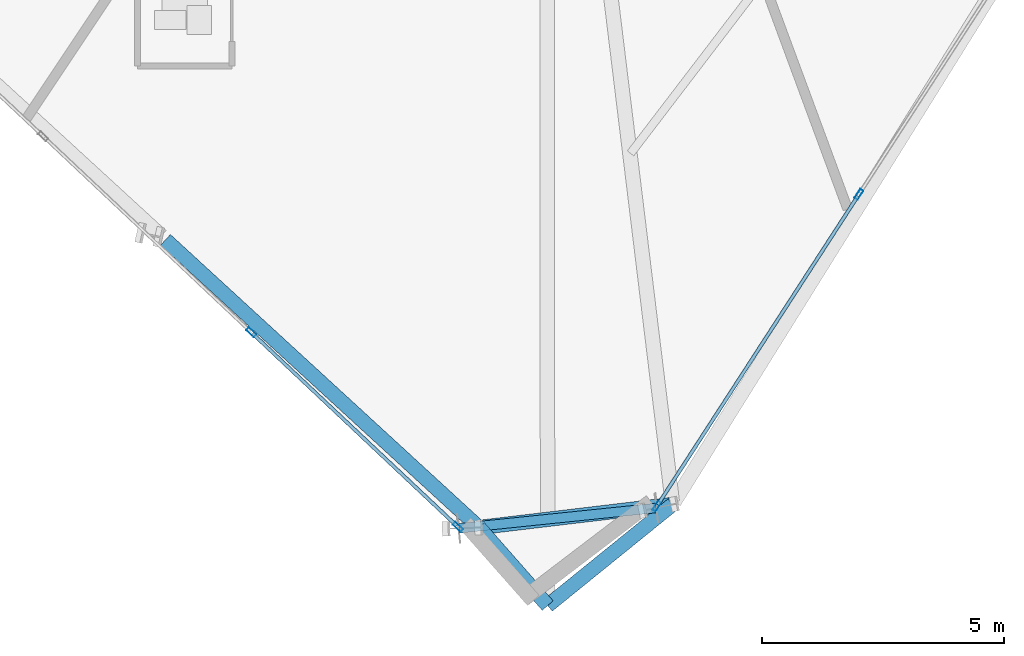
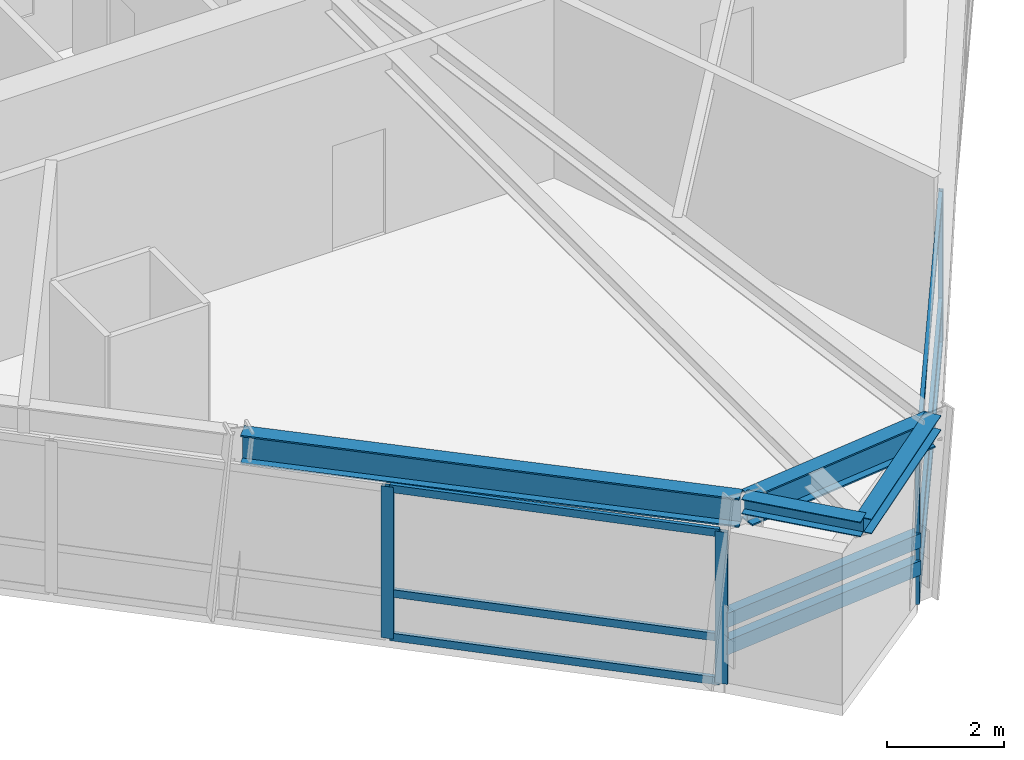
# One storey, part 3 of 14: 12 members, 4 beams, 2 elements without a shape of their own.
"""IFC4 building model written with IfcOpenShell, lengths in metres."""

from ifc_helpers import new_model, si_unit, direction, frame, origin, origin_2d, place, context, subcontext, project, spatial, hollow_rectangle, i_section, extrude, source, transform, mapped, material, material_profile, profile_set, type_object, element, aggregate, save


model = new_model("IFC4")

# Units and contexts
model_context = context("Model", 3, precision=1e-05, world=origin(), true_north=direction((0.0, 1.0)))
body_context = subcontext(model_context, "Body", "Model", "MODEL_VIEW")
ifc_project = project(units=[si_unit("LENGTHUNIT", "METRE"), si_unit("AREAUNIT", "SQUARE_METRE"), si_unit("VOLUMEUNIT", "CUBIC_METRE"), si_unit("PLANEANGLEUNIT", "RADIAN"), si_unit("MASSUNIT", "GRAM", prefix="KILO")], contexts=[model_context])

# Site, building, storey
site_placement = place(None, origin())
site = spatial("IfcSite", under=ifc_project, at=site_placement, CompositionType="ELEMENT")
building_placement = place(site_placement, origin())
building = spatial("IfcBuilding", under=site, at=building_placement, Name="Olszyna Solenne Hotel", CompositionType="ELEMENT")
storey_placement = place(building_placement, frame((0.0, 0.0, 196.300048828125)))
storey = spatial("IfcBuildingStorey", under=building, at=storey_placement, Name="L52", CompositionType="ELEMENT", Elevation=196.300048828125)

# Beams
ifc_material_1 = material(Name="Steel S355J2", Category="steel")
ifc_material_profile_1 = material_profile(ifc_material_1, i_section(OverallWidth=0.300048828125, OverallDepth=0.60009765625, WebThickness=0.015380859375, FlangeThickness=0.030029296875, at=origin_2d()), Name="HEB 600", Category="load-bearing")
ifc_profile_set_1 = profile_set([ifc_material_profile_1], Name="Steel S355J2")
beam_type_1 = type_object("IfcBeamType", Name="BM-S2", PredefinedType="BEAM", material=ifc_profile_set_1)
shared_shape_1 = source(origin(), body_context, "Body", "SweptSolid", [
    extrude(i_section(OverallWidth=0.300048828125, OverallDepth=0.60009765625, WebThickness=0.015380859375, FlangeThickness=0.030029296875, at=origin_2d()), origin(), (0.0, 0.0, 1.0), 8.74462890625),
])
beam_1_placement = place(storey_placement, frame((30.39208984375, 8.367919921875, 3.47998046875), z_axis=(0.7367901343, -0.676121511267, 0.0), x_axis=(0.676121511267, 0.7367901343, 0.0)))
element("IfcBeam", 1, at=beam_1_placement, inside=storey, type_object=beam_type_1, Name="Perimeter spandrel beam BM-S2 B-L52-1545", PredefinedType="BEAM", context=body_context, shape_type="MappedRepresentation", body=[
    mapped(shared_shape_1, transform((0.0, 0.0, 0.0), x_axis=(1.0, 0.0, 0.0), y_axis=(0.0, 1.0, 0.0), z_axis=(0.0, 0.0, 1.0), scale=1.0)),
])
shared_shape_2 = source(origin(), body_context, "Body", "SweptSolid", [
    extrude(i_section(OverallWidth=0.300048828125, OverallDepth=0.60009765625, WebThickness=0.015380859375, FlangeThickness=0.030029296875, at=origin_2d()), origin(), (0.0, 0.0, 1.0), 3.91552734375),
])
beam_2_placement = place(storey_placement, frame((36.938720703125, 2.422119140625, 3.47998046875), z_axis=(0.992965077649, 0.118407578176, 0.0), x_axis=(-0.118407578176, 0.992965077649, 0.0)))
element("IfcBeam", 2, at=beam_2_placement, inside=storey, type_object=beam_type_1, Name="Perimeter spandrel beam BM-S2 B-L52-1546", PredefinedType="BEAM", context=body_context, shape_type="MappedRepresentation", body=[
    mapped(shared_shape_2, transform((0.0, 0.0, 0.0), x_axis=(1.0, 0.0, 0.0), y_axis=(0.0, 1.0, 0.0), z_axis=(0.0, 0.0, 1.0), scale=1.0)),
])
ifc_material_profile_2 = material_profile(ifc_material_1, i_section(OverallWidth=0.300048828125, OverallDepth=0.31005859375, WebThickness=0.009033203125, FlangeThickness=0.015380859375, at=origin_2d()), Name="HEA 320", Category="load-bearing")
ifc_profile_set_2 = profile_set([ifc_material_profile_2], Name="Steel S355J2")
beam_type_2 = type_object("IfcBeamType", Name="BM-G3", PredefinedType="BEAM", material=ifc_profile_set_2)
shared_shape_3 = source(origin(), body_context, "Body", "SweptSolid", [
    extrude(i_section(OverallWidth=0.300048828125, OverallDepth=0.31005859375, WebThickness=0.009033203125, FlangeThickness=0.015380859375, at=origin_2d()), origin(), (0.0, 0.0, 1.0), 2.151611328125),
])
beam_3_placement = place(storey_placement, frame((36.879150390625, 2.414794921875, 3.625), z_axis=(0.660863197415, -0.750506385251, 0.0), x_axis=(0.750506385251, 0.660863197415, 0.0)))
element("IfcBeam", 3, at=beam_3_placement, inside=storey, type_object=beam_type_2, Name="Prism side edge beam BM-G3 B-L52-1558", PredefinedType="BEAM", context=body_context, shape_type="MappedRepresentation", body=[
    mapped(shared_shape_3, transform((0.0, 0.0, 0.0), x_axis=(1.0, 0.0, 0.0), y_axis=(0.0, 1.0, 0.0), z_axis=(0.0, 0.0, 1.0), scale=1.0)),
])
shared_shape_4 = source(origin(), body_context, "Body", "SweptSolid", [
    extrude(i_section(OverallWidth=0.300048828125, OverallDepth=0.31005859375, WebThickness=0.009033203125, FlangeThickness=0.015380859375, at=origin_2d()), origin(), (0.0, 0.0, 1.0), 3.326171875),
])
beam_4_placement = place(storey_placement, frame((40.88623046875, 2.892822265625, 3.625), z_axis=(-0.77724658005, -0.629196117121, 0.0), x_axis=(0.629196117121, -0.77724658005, 0.0)))
element("IfcBeam", 4, at=beam_4_placement, inside=storey, type_object=beam_type_2, Name="Prism side edge beam BM-G3 B-L52-1559", PredefinedType="BEAM", context=body_context, shape_type="MappedRepresentation", body=[
    mapped(shared_shape_4, transform((0.0, 0.0, 0.0), x_axis=(1.0, 0.0, 0.0), y_axis=(0.0, 1.0, 0.0), z_axis=(0.0, 0.0, 1.0), scale=1.0)),
])

# Members
ifc_material_profile_3 = material_profile(ifc_material_1, hollow_rectangle(XDim=0.199951171875, YDim=0.300048828125, WallThickness=0.01611328125, at=origin_2d()), Name="RHS 300x200x16", Category="load-bearing")
ifc_profile_set_3 = profile_set([ifc_material_profile_3], Name="Steel S355J2")
member_type_1 = type_object("IfcMemberType", Name="CH-PR1", PredefinedType="CHORD", material=ifc_profile_set_3)
shared_shape_5 = source(origin(), body_context, "Body", "SweptSolid", [
    extrude(hollow_rectangle(XDim=0.199951171875, YDim=0.300048828125, WallThickness=0.01611328125, at=origin_2d()), origin(), (0.0, 0.0, 1.0), 4.086669921875),
])
for number, where, z_axis, x_axis, name in (
    (5, (36.47216796875, 2.3994140625, 1.349853515625), (0.994706543415, 0.102756471752, 0.0), (-0.102756471752, 0.994706543415, 0.0), "Glass-prism tie chord CH-PR1 M-L52-PR1"),
    (6, (36.47216796875, 2.3994140625, 0.780029296875), (0.994706543415, 0.102756471752, 0.0), (-0.102756471752, 0.994706543415, 0.0), "Glass-prism tie chord CH-PR1 M-L52-PR2"),
):
    element("IfcMember", number, at=place(storey_placement, frame(where, z_axis=z_axis, x_axis=x_axis)), inside=storey, type_object=member_type_1, Name=name, PredefinedType="CHORD", context=body_context, shape_type="MappedRepresentation", body=[
        mapped(shared_shape_5, transform((0.0, 0.0, 0.0), x_axis=(1.0, 0.0, 0.0), y_axis=(0.0, 1.0, 0.0), z_axis=(0.0, 0.0, 1.0), scale=1.0)),
    ])

# Curtain wall, members
ifc_material_2 = material(Name="Anodised bronze aluminium", Category="aluminium")
curtain_wall_type = type_object("IfcCurtainWallType", Name="CW-SYS-6", PredefinedType="NOTDEFINED", material=ifc_material_2)
curtain_wall_1_placement = place(storey_placement, origin())
curtain_wall_1 = element("IfcCurtainWall", 7, at=curtain_wall_1_placement, inside=storey, type_object=curtain_wall_type, Name="Unitised curtain wall CW-SYS-6 CW-L52-01", PredefinedType="NOTDEFINED")
ifc_material_profile_4 = material_profile(ifc_material_2, hollow_rectangle(XDim=0.080078125, YDim=0.219970703125, WallThickness=0.0048828125, at=origin_2d()), Name="MULL 220x80x5", Category="load-bearing")
ifc_profile_set_4 = profile_set([ifc_material_profile_4], Name="Anodised bronze aluminium")
member_type_2 = type_object("IfcMemberType", Name="CW-M1", PredefinedType="MULLION", material=ifc_profile_set_4)
shared_shape_6 = source(origin(), body_context, "Body", "SweptSolid", [
    extrude(hollow_rectangle(XDim=0.080078125, YDim=0.219970703125, WallThickness=0.0048828125, at=origin_2d()), origin(), (0.0, 0.0, 1.0), 3.171875),
])
member_1_placement = place(storey_placement, frame((40.558837890625, 2.85302734375, 0.0), z_axis=(0.0, 0.0, 1.0), x_axis=(-0.839239744069, 0.543761576405, 0.0)))
member_1 = element("IfcMember", 8, at=member_1_placement, type_object=member_type_2, Name="Curtain-wall mullion CW-M1 CM-L52-01-01", PredefinedType="MULLION", context=body_context, shape_type="MappedRepresentation", body=[
    mapped(shared_shape_6, transform((0.0, 0.0, 0.0), x_axis=(1.0, 0.0, 0.0), y_axis=(0.0, 1.0, 0.0), z_axis=(0.0, 0.0, 1.0), scale=1.0)),
])
member_2_placement = place(storey_placement, frame((44.740966796875, 9.3076171875, 0.0), z_axis=(0.0, 0.0, 1.0), x_axis=(-0.839239744069, 0.543761576405, 0.0)))
member_2 = element("IfcMember", 9, at=member_2_placement, type_object=member_type_2, Name="Curtain-wall mullion CW-M1 CM-L52-01-02", PredefinedType="MULLION", context=body_context, shape_type="MappedRepresentation", body=[
    mapped(shared_shape_6, transform((0.0, 0.0, 0.0), x_axis=(1.0, 0.0, 0.0), y_axis=(0.0, 1.0, 0.0), z_axis=(0.0, 0.0, 1.0), scale=1.0)),
])

curtain_wall_2_placement = place(storey_placement, origin())
curtain_wall_2 = element("IfcCurtainWall", 10, at=curtain_wall_2_placement, inside=storey, type_object=curtain_wall_type, Name="Unitised curtain wall CW-SYS-6 CW-L52-02", PredefinedType="NOTDEFINED")
member_3_placement = place(storey_placement, frame((32.166015625, 6.455078125, 0.0), z_axis=(0.0, 0.0, 1.0), x_axis=(0.685634102276, 0.727946342663, 0.0)))
member_3 = element("IfcMember", 11, at=member_3_placement, type_object=member_type_2, Name="Curtain-wall mullion CW-M1 CM-L52-02-03", PredefinedType="MULLION", context=body_context, shape_type="MappedRepresentation", body=[
    mapped(shared_shape_6, transform((0.0, 0.0, 0.0), x_axis=(1.0, 0.0, 0.0), y_axis=(0.0, 1.0, 0.0), z_axis=(0.0, 0.0, 1.0), scale=1.0)),
])
member_4_placement = place(storey_placement, frame((36.44287109375, 2.4267578125, 0.0), z_axis=(0.0, 0.0, 1.0), x_axis=(0.685634102276, 0.727946342663, 0.0)))
member_4 = element("IfcMember", 12, at=member_4_placement, type_object=member_type_2, Name="Curtain-wall mullion CW-M1 CM-L52-02-04", PredefinedType="MULLION", context=body_context, shape_type="MappedRepresentation", body=[
    mapped(shared_shape_6, transform((0.0, 0.0, 0.0), x_axis=(1.0, 0.0, 0.0), y_axis=(0.0, 1.0, 0.0), z_axis=(0.0, 0.0, 1.0), scale=1.0)),
])

# Member
ifc_material_profile_5 = material_profile(ifc_material_2, hollow_rectangle(XDim=0.074951171875, YDim=0.159912109375, WallThickness=0.00390625, at=origin_2d()), Name="TRAN 160x75x4", Category="load-bearing")
ifc_profile_set_5 = profile_set([ifc_material_profile_5], Name="Anodised bronze aluminium")
member_type_3 = type_object("IfcMemberType", Name="CW-T1", PredefinedType="USERDEFINED", material=ifc_profile_set_5)
shared_shape_7 = source(origin(), body_context, "Body", "SweptSolid", [
    extrude(hollow_rectangle(XDim=0.074951171875, YDim=0.159912109375, WallThickness=0.00390625, at=origin_2d()), origin(), (0.0, 0.0, 1.0), 7.611328125),
])
member_5_placement = place(storey_placement, frame((40.58056640625, 2.886474609375, 0.037353515625), z_axis=(0.54375657624, 0.839242983763, 0.0), x_axis=(-0.839242983763, 0.54375657624, 0.0)))
member_5 = element("IfcMember", 13, at=member_5_placement, type_object=member_type_3, Name="Curtain-wall transom CW-T1 CT-L52-01-01", ObjectType="TRANSOM", PredefinedType="USERDEFINED", context=body_context, shape_type="MappedRepresentation", body=[
    mapped(shared_shape_7, transform((0.0, 0.0, 0.0), x_axis=(1.0, 0.0, 0.0), y_axis=(0.0, 1.0, 0.0), z_axis=(0.0, 0.0, 1.0), scale=1.0)),
])

member_6_placement = place(storey_placement, frame((40.58056640625, 2.886474609375, 0.949951171875), z_axis=(0.54375657624, 0.839242983763, 0.0), x_axis=(-0.839242983763, 0.54375657624, 0.0)))
member_6 = element("IfcMember", 14, at=member_6_placement, type_object=member_type_3, Name="Curtain-wall transom CW-T1 CT-L52-01-02", ObjectType="TRANSOM", PredefinedType="USERDEFINED", context=body_context, shape_type="MappedRepresentation", body=[
    mapped(shared_shape_7, transform((0.0, 0.0, 0.0), x_axis=(1.0, 0.0, 0.0), y_axis=(0.0, 1.0, 0.0), z_axis=(0.0, 0.0, 1.0), scale=1.0)),
])

member_7_placement = place(storey_placement, frame((40.58056640625, 2.886474609375, 3.134521484375), z_axis=(0.54375657624, 0.839242983763, 0.0), x_axis=(-0.839242983763, 0.54375657624, 0.0)))
member_7 = element("IfcMember", 15, at=member_7_placement, type_object=member_type_3, Name="Curtain-wall transom CW-T1 CT-L52-01-03", ObjectType="TRANSOM", PredefinedType="USERDEFINED", context=body_context, shape_type="MappedRepresentation", body=[
    mapped(shared_shape_7, transform((0.0, 0.0, 0.0), x_axis=(1.0, 0.0, 0.0), y_axis=(0.0, 1.0, 0.0), z_axis=(0.0, 0.0, 1.0), scale=1.0)),
])

aggregate(curtain_wall_1, [member_1, member_2, member_5, member_6, member_7])

shared_shape_8 = source(origin(), body_context, "Body", "SweptSolid", [
    extrude(hollow_rectangle(XDim=0.074951171875, YDim=0.159912109375, WallThickness=0.00390625, at=origin_2d()), origin(), (0.0, 0.0, 1.0), 5.79541015625),
])
member_8_placement = place(storey_placement, frame((32.195068359375, 6.427734375, 0.037353515625), z_axis=(0.727937753198, -0.685643221704, 0.0), x_axis=(0.685643221704, 0.727937753198, 0.0)))
member_8 = element("IfcMember", 16, at=member_8_placement, type_object=member_type_3, Name="Curtain-wall transom CW-T1 CT-L52-02-07", ObjectType="TRANSOM", PredefinedType="USERDEFINED", context=body_context, shape_type="MappedRepresentation", body=[
    mapped(shared_shape_8, transform((0.0, 0.0, 0.0), x_axis=(1.0, 0.0, 0.0), y_axis=(0.0, 1.0, 0.0), z_axis=(0.0, 0.0, 1.0), scale=1.0)),
])

member_9_placement = place(storey_placement, frame((32.195068359375, 6.427734375, 0.949951171875), z_axis=(0.727937753198, -0.685643221704, 0.0), x_axis=(0.685643221704, 0.727937753198, 0.0)))
member_9 = element("IfcMember", 17, at=member_9_placement, type_object=member_type_3, Name="Curtain-wall transom CW-T1 CT-L52-02-08", ObjectType="TRANSOM", PredefinedType="USERDEFINED", context=body_context, shape_type="MappedRepresentation", body=[
    mapped(shared_shape_8, transform((0.0, 0.0, 0.0), x_axis=(1.0, 0.0, 0.0), y_axis=(0.0, 1.0, 0.0), z_axis=(0.0, 0.0, 1.0), scale=1.0)),
])

member_10_placement = place(storey_placement, frame((32.195068359375, 6.427734375, 3.134521484375), z_axis=(0.727937753198, -0.685643221704, 0.0), x_axis=(0.685643221704, 0.727937753198, 0.0)))
member_10 = element("IfcMember", 18, at=member_10_placement, type_object=member_type_3, Name="Curtain-wall transom CW-T1 CT-L52-02-09", ObjectType="TRANSOM", PredefinedType="USERDEFINED", context=body_context, shape_type="MappedRepresentation", body=[
    mapped(shared_shape_8, transform((0.0, 0.0, 0.0), x_axis=(1.0, 0.0, 0.0), y_axis=(0.0, 1.0, 0.0), z_axis=(0.0, 0.0, 1.0), scale=1.0)),
])

aggregate(curtain_wall_2, [member_3, member_4, member_8, member_9, member_10])

save(model, "model.ifc")
